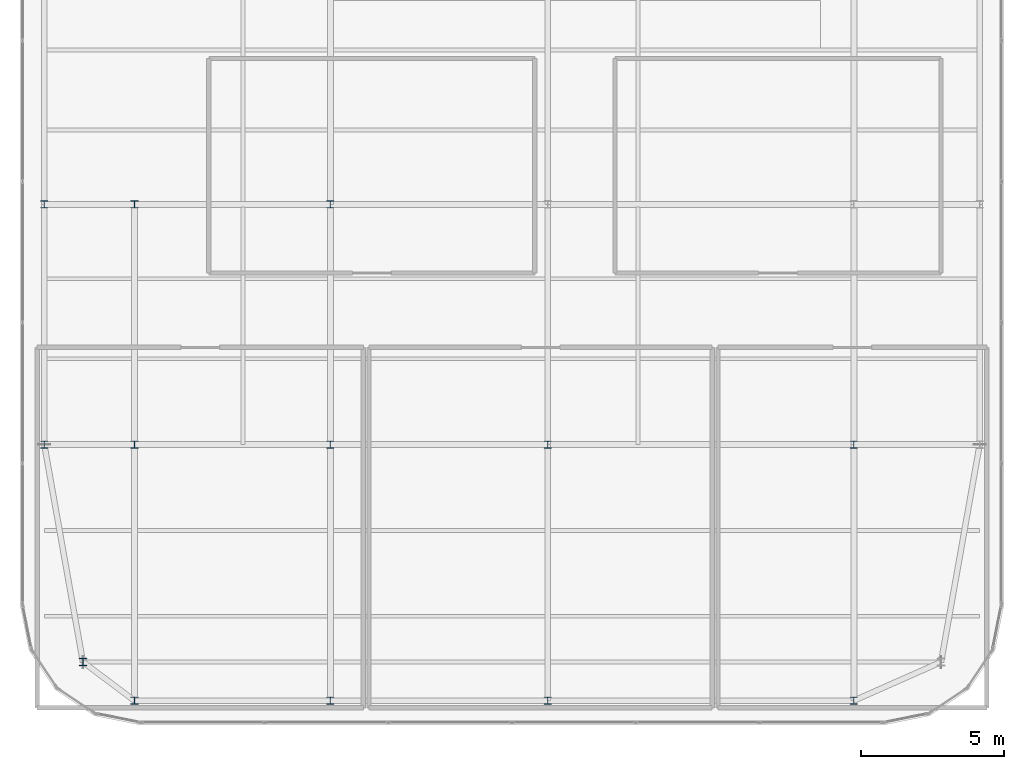
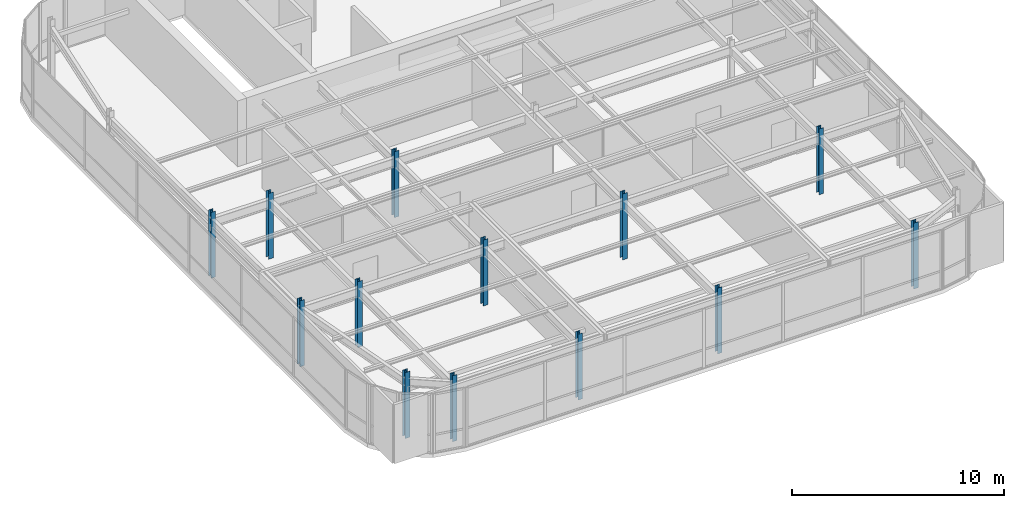
# One storey, part 1 of 35: 13 columns.
"""IFC4 building model written with IfcOpenShell, lengths in metres."""

import ifcopenshell
import ifcopenshell.guid

model = None  # the IFC model being written
_history = None  # IfcOwnerHistory: only IFC2X3 demands one
_inside = {}  # id of a spatial element -> (the spatial element, [elements in it])
_under = {}  # id of a project, library or spatial element -> (it, [spatial elements below it])
_declared = {}  # id of a project -> (the project, [libraries it declares])
_typed = {}  # id of a type object -> (the type object, [elements of that type])
_made_of = {}  # id of a material, layer set ... -> (it, [elements and type objects made of it])


def new_model(schema):
    """Start an empty IFC model of exactly this schema.

    Asked for "IFC4X3", IfcOpenShell would pick the latest addendum, in which some entities
    have other attributes; the version numbers below select the first issue.
    IFC2X3 requires an IfcOwnerHistory on every rooted entity: one is made here for all.
    """
    global model, _history
    if schema == "IFC4X3":
        model = ifcopenshell.file(schema_version=(4, 3, 0, 0))
    else:
        model = ifcopenshell.file(schema=schema)
    _inside.clear()
    _under.clear()
    _declared.clear()
    _typed.clear()
    _made_of.clear()
    _history = None
    if model.schema == "IFC2X3":
        org = make("IfcOrganization", Name="unknown")
        user = make(
            "IfcPersonAndOrganization",
            ThePerson=make("IfcPerson", FamilyName="unknown"),
            TheOrganization=org,
        )
        app = make(
            "IfcApplication",
            ApplicationDeveloper=org,
            Version="unknown",
            ApplicationFullName="unknown",
            ApplicationIdentifier="unknown",
        )
        _history = make(
            "IfcOwnerHistory",
            OwningUser=user,
            OwningApplication=app,
            ChangeAction="ADDED",
            CreationDate=0,
        )
    return model


def make(cls, **values):
    """One entity of the class cls with the attributes given. An attribute that is None is left unset."""
    return model.create_entity(
        cls, **{name: value for name, value in values.items() if value is not None}
    )


def rooted(cls, **values):
    """An entity with a GlobalId (a new one), such as an element, a storey or a relation."""
    return make(cls, GlobalId=ifcopenshell.guid.new(), OwnerHistory=_history, **values)


def si_unit(unit_type, name, prefix=None):
    """IfcSIUnit, for example si_unit("LENGTHUNIT", "METRE", prefix="MILLI")."""
    return make("IfcSIUnit", UnitType=unit_type, Prefix=prefix, Name=name)


def assignment(units):
    """IfcUnitAssignment: the units of a project."""
    return None if units is None else make("IfcUnitAssignment", Units=units)


def point(xyz):
    """IfcCartesianPoint."""
    return None if xyz is None else make("IfcCartesianPoint", Coordinates=xyz)


def direction(xyz):
    """IfcDirection."""
    return None if xyz is None else make("IfcDirection", DirectionRatios=xyz)


def frame(location, z_axis=None, x_axis=None):
    """IfcAxis2Placement3D, a coordinate frame: its origin and axes. An axis left out is left unset."""
    return make(
        "IfcAxis2Placement3D",
        Location=point(location),
        Axis=direction(z_axis),
        RefDirection=direction(x_axis),
    )


def frame_2d(location, x_axis=None):
    """IfcAxis2Placement2D, a coordinate frame in the plane: its origin and x axis."""
    return make(
        "IfcAxis2Placement2D", Location=point(location), RefDirection=direction(x_axis)
    )


def origin():
    """The frame at (0, 0, 0) with its axes left unset."""
    return frame((0.0, 0.0, 0.0))


def origin_2d():
    """The frame at (0, 0) in the plane with its x axis left unset."""
    return frame_2d((0.0, 0.0))


def place(relative_to, where):
    """IfcLocalPlacement: puts the frame where relative to a parent placement (None: the world)."""
    return make(
        "IfcLocalPlacement", PlacementRelTo=relative_to, RelativePlacement=where
    )


def context(
    kind, dimensions, precision=None, world=None, true_north=None, identifier=None
):
    """IfcGeometricRepresentationContext, for example the 3D "Model" context."""
    return make(
        "IfcGeometricRepresentationContext",
        ContextIdentifier=identifier,
        ContextType=kind,
        CoordinateSpaceDimension=dimensions,
        Precision=precision,
        WorldCoordinateSystem=world,
        TrueNorth=true_north,
    )


def subcontext(parent, identifier, kind, view, scale=None):
    """IfcGeometricRepresentationSubContext, for example "Body" below "Model"."""
    return make(
        "IfcGeometricRepresentationSubContext",
        ContextIdentifier=identifier,
        ContextType=kind,
        ParentContext=parent,
        TargetScale=scale,
        TargetView=view,
    )


def project(units=None, contexts=None):
    """IfcProject with its units and contexts."""
    return rooted(
        "IfcProject",
        Name="project",
        RepresentationContexts=contexts,
        UnitsInContext=assignment(units),
    )


def spatial(cls, under=None, at=None, **own):
    """A site, building, storey or space (cls), placed at a placement, below another one or the project."""
    s = rooted(cls, ObjectPlacement=at, **own)
    if under is not None:
        _under.setdefault(under.id(), (under, []))[1].append(s)
    return s


def profile(cls, at=None, kind="AREA", **sizes):
    """A parametric profile (cls). Its sizes go by their IFC names, for example OverallWidth=200.0."""
    return make(cls, ProfileType=kind, Position=at, **sizes)


def i_section(**sizes):
    """IfcIShapeProfileDef."""
    return profile("IfcIShapeProfileDef", **sizes)


def extrude(swept, where, along, depth):
    """IfcExtrudedAreaSolid: the profile swept, set in the frame where, extruded along a direction by depth."""
    return make(
        "IfcExtrudedAreaSolid",
        SweptArea=swept,
        Position=where,
        ExtrudedDirection=direction(along),
        Depth=depth,
    )


def shape(context_of_items, identifier, shape_type, items):
    """IfcShapeRepresentation: the items that make up one representation, for example the "Body"."""
    return make(
        "IfcShapeRepresentation",
        ContextOfItems=context_of_items,
        RepresentationIdentifier=identifier,
        RepresentationType=shape_type,
        Items=items,
    )


def source(mapping_origin, context_of_items, identifier, shape_type, items):
    """IfcRepresentationMap: a shape defined once, which mapped items show again and again."""
    return make(
        "IfcRepresentationMap",
        MappingOrigin=mapping_origin,
        MappedRepresentation=shape(context_of_items, identifier, shape_type, items),
    )


def transform(
    local_origin,
    x_axis=None,
    y_axis=None,
    z_axis=None,
    scale=None,
    scale2=None,
    scale3=None,
    uniform=True,
):
    """IfcCartesianTransformationOperator3D, or its non-uniform kind. x_axis, y_axis, z_axis: its Axis1, 2, 3."""
    if uniform:
        return make(
            "IfcCartesianTransformationOperator3D",
            Axis1=direction(x_axis),
            Axis2=direction(y_axis),
            LocalOrigin=point(local_origin),
            Scale=scale,
            Axis3=direction(z_axis),
        )
    return make(
        "IfcCartesianTransformationOperator3DnonUniform",
        Axis1=direction(x_axis),
        Axis2=direction(y_axis),
        LocalOrigin=point(local_origin),
        Scale=scale,
        Axis3=direction(z_axis),
        Scale2=scale2,
        Scale3=scale3,
    )


def mapped(mapping_source, mapping_target):
    """IfcMappedItem: shows the shape of a source again, moved by a transform."""
    return make(
        "IfcMappedItem", MappingSource=mapping_source, MappingTarget=mapping_target
    )


def material(Name=None, Category=None):
    """IfcMaterial."""
    return make("IfcMaterial", Name=Name, Category=Category)


def material_profile(
    of_material, cross_section, Name=None, Category=None, Priority=None
):
    """IfcMaterialProfile: a cross section and its material."""
    return make(
        "IfcMaterialProfile",
        Name=Name,
        Material=of_material,
        Profile=cross_section,
        Priority=Priority,
        Category=Category,
    )


def profile_set(profiles, Name=None, composite=None):
    """IfcMaterialProfileSet."""
    return make(
        "IfcMaterialProfileSet",
        Name=Name,
        MaterialProfiles=profiles,
        CompositeProfile=composite,
    )


def made_of(thing, what):
    """Note that an element or type object is made of a material, layer set ...; save() writes the relation."""
    if what is not None:
        _made_of.setdefault(what.id(), (what, []))[1].append(thing)
    return thing


def type_object(cls, material=None, **own):
    """A type object (cls), such as IfcWallType, which elements share."""
    return made_of(rooted(cls, **own), material)


def type_shapes(of_type, sources):
    """Give a type object the sources (RepresentationMaps) that its elements show as mapped items."""
    of_type.RepresentationMaps = sources


def element(
    cls,
    number,
    at=None,
    inside=None,
    cuts=None,
    type_object=None,
    material=None,
    context=None,
    identifier="Body",
    shape_type=None,
    held_by="IfcProductDefinitionShape",
    body=None,
    shapes=None,
    **own,
):
    """One element of the class cls, such as IfcWall. Its Tag is "e" and its number.

    at: its placement. inside: the storey or other place that contains it. cuts: it is an
    opening in that element (IfcRelVoidsElement). A single representation is given by context,
    identifier, shape_type and body (its items); several are given by shapes. held_by: the class
    of the entity that holds the representations. save() writes the other relations.
    """
    e = rooted(cls, Tag="e%d" % number, ObjectPlacement=at, **own)
    if body is not None:
        shapes = [shape(context, identifier, shape_type, body)]
    if shapes is not None:
        e.Representation = make(held_by, Representations=shapes)
    if inside is not None:
        _inside.setdefault(inside.id(), (inside, []))[1].append(e)
    if cuts is not None:
        rooted(
            "IfcRelVoidsElement", RelatingBuildingElement=cuts, RelatedOpeningElement=e
        )
    if type_object is not None:
        _typed.setdefault(type_object.id(), (type_object, []))[1].append(e)
    return made_of(e, material)


def aggregate(whole, parts):
    """IfcRelAggregates: a whole, such as a stair, and the parts it consists of."""
    return rooted("IfcRelAggregates", RelatingObject=whole, RelatedObjects=parts)


def save(model, path):
    """Write the relations noted so far, then the file.

    IfcRelAggregates (storeys below a building ...), IfcRelContainedInSpatialStructure (elements
    in a storey), IfcRelDefinesByType, IfcRelAssociatesMaterial and IfcRelDeclares: one each for
    every whole, place, type object, material and project.
    """
    for whole, parts in _under.values():
        aggregate(whole, parts)
    for where, things in _inside.values():
        rooted(
            "IfcRelContainedInSpatialStructure",
            RelatedElements=things,
            RelatingStructure=where,
        )
    for kind, things in _typed.values():
        rooted("IfcRelDefinesByType", RelatedObjects=things, RelatingType=kind)
    for what, things in _made_of.values():
        rooted("IfcRelAssociatesMaterial", RelatedObjects=things, RelatingMaterial=what)
    for by, libraries in _declared.values():
        rooted("IfcRelDeclares", RelatingContext=by, RelatedDefinitions=libraries)
    model.write(path)


model = new_model("IFC4")

# Units and contexts
model_context = context("Model", 3, precision=1e-05, world=origin(), true_north=direction((0.0, 1.0)))
body_context = subcontext(model_context, "Body", "Model", "MODEL_VIEW")
ifc_project = project(units=[si_unit("LENGTHUNIT", "METRE"), si_unit("AREAUNIT", "SQUARE_METRE"), si_unit("VOLUMEUNIT", "CUBIC_METRE"), si_unit("PLANEANGLEUNIT", "RADIAN"), si_unit("MASSUNIT", "GRAM", prefix="KILO")], contexts=[model_context])

# Site, building, storey
site_placement = place(None, origin())
site = spatial("IfcSite", under=ifc_project, at=site_placement, CompositionType="ELEMENT")
building_placement = place(site_placement, origin())
building = spatial("IfcBuilding", under=site, at=building_placement, Name="Tolvann Quenvar Hotel", CompositionType="ELEMENT")
storey_placement = place(building_placement, frame((0.0, 0.0, 309.949951171875)))
storey = spatial("IfcBuildingStorey", under=building, at=storey_placement, Name="L82", CompositionType="ELEMENT", Elevation=309.949951171875)

# Columns
ifc_material = material(Name="Steel Grade 350", Category="steel")
ifc_material_profile = material_profile(ifc_material, i_section(OverallWidth=0.25390625, OverallDepth=0.25390625, WebThickness=0.008544921875, FlangeThickness=0.01416015625, FilletRadius=0.013916015625, at=origin_2d()), Name="250UC73")
ifc_profile_set = profile_set([ifc_material_profile], Name="Steel Grade 350")
column_type = type_object("IfcColumnType", Name="COL_250UC73", PredefinedType="COLUMN", material=ifc_profile_set)
shared_shape = source(origin(), body_context, "Body", "SweptSolid", [
    extrude(i_section(OverallWidth=0.25390625, OverallDepth=0.25390625, WebThickness=0.008544921875, FlangeThickness=0.01416015625, FilletRadius=0.013916015625, at=origin_2d()), origin(), (0.0, 0.0, 1.0), 3.800048828125),
])
type_shapes(column_type, [shared_shape])
for number, where, z_axis, x_axis, name in (
    (1, (5.800048828125, 8.39990234375, 0.0), (0.0, 0.0, 1.0), (1.0, 0.0, 0.0), "Column B2 (L82)"),
    (2, (4.449951171875, 16.0, 0.0), (0.0, 0.0, 1.0), (1.0, 0.0, 0.0), "Column B4 (L82)"),
    (3, (4.449951171875, 24.39990234375, 0.0), (0.0, 0.0, 1.0), (1.0, 0.0, 0.0), "Column B5 (L82)"),
    (4, (7.60009765625, 7.050048828125, 0.0), (0.0, 0.0, 1.0), (1.0, 0.0, 0.0), "Column C2 (L82)"),
    (5, (7.60009765625, 16.0, 0.0), (0.0, 0.0, 1.0), (1.0, 0.0, 0.0), "Column C4 (L82)"),
    (6, (7.60009765625, 24.39990234375, 0.0), (0.0, 0.0, 1.0), (1.0, 0.0, 0.0), "Column C5 (L82)"),
    (7, (14.449951171875, 7.050048828125, 0.0), (0.0, 0.0, 1.0), (1.0, 0.0, 0.0), "Column D2 (L82)"),
    (8, (14.449951171875, 16.0, 0.0), (0.0, 0.0, 1.0), (1.0, 0.0, 0.0), "Column D4 (L82)"),
    (9, (14.449951171875, 24.39990234375, 0.0), (0.0, 0.0, 1.0), (1.0, 0.0, 0.0), "Column D5 (L82)"),
    (10, (22.050048828125, 7.050048828125, 0.0), (0.0, 0.0, 1.0), (1.0, 0.0, 0.0), "Column E2 (L82)"),
    (11, (22.050048828125, 16.0, 0.0), (0.0, 0.0, 1.0), (1.0, 0.0, 0.0), "Column E4 (L82)"),
    (12, (32.75, 7.050048828125, 0.0), (0.0, 0.0, 1.0), (1.0, 0.0, 0.0), "Column FP2 (L82)"),
    (13, (32.75, 16.0, 0.0), (0.0, 0.0, 1.0), (1.0, 0.0, 0.0), "Column FP4 (L82)"),
):
    element("IfcColumn", number, at=place(storey_placement, frame(where, z_axis=z_axis, x_axis=x_axis)), inside=storey, type_object=column_type, Name=name, PredefinedType="COLUMN", context=body_context, shape_type="MappedRepresentation", body=[
        mapped(shared_shape, transform((0.0, 0.0, 0.0), x_axis=(1.0, 0.0, 0.0), y_axis=(0.0, 1.0, 0.0), z_axis=(0.0, 0.0, 1.0), scale=1.0)),
    ])

save(model, "model.ifc")
